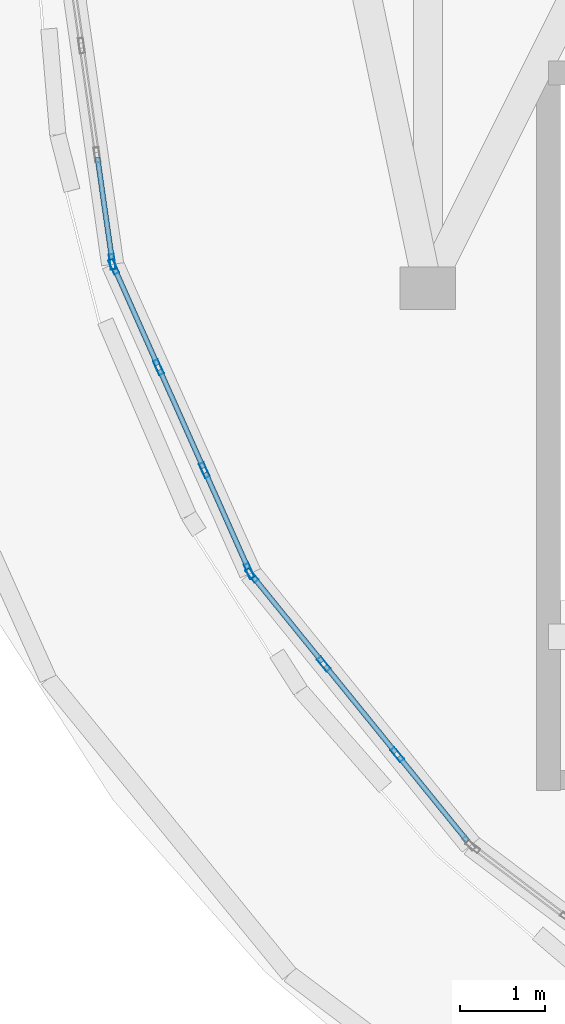
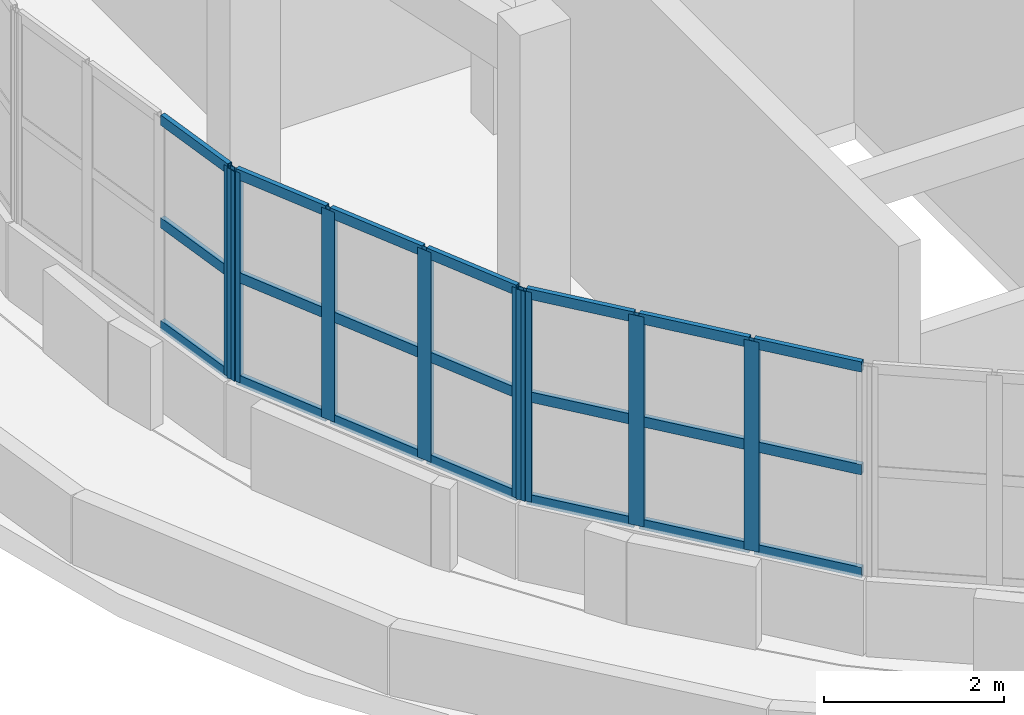
# One storey, part 3 of 98: 29 members, 3 elements without a shape of their own.
"""IFC4 building model written with IfcOpenShell, lengths in metres."""

from ifc_helpers import new_model, si_unit, direction, frame, origin, origin_2d, place, context, subcontext, project, spatial, hollow_rectangle, extrude, material, layer, layer_set, material_profile, profile_set, type_object, element, aggregate, save


model = new_model("IFC4")

# Units and contexts
model_context = context("Model", 3, precision=1e-05, world=origin(), true_north=direction((0.0, 1.0)))
body_context = subcontext(model_context, "Body", "Model", "MODEL_VIEW")
ifc_project = project(units=[si_unit("LENGTHUNIT", "METRE"), si_unit("AREAUNIT", "SQUARE_METRE"), si_unit("VOLUMEUNIT", "CUBIC_METRE"), si_unit("PLANEANGLEUNIT", "RADIAN"), si_unit("MASSUNIT", "GRAM", prefix="KILO")], contexts=[model_context])

# Site, building, storey
site_placement = place(None, origin())
site = spatial("IfcSite", under=ifc_project, at=site_placement, CompositionType="ELEMENT")
building_placement = place(site_placement, origin())
building = spatial("IfcBuilding", under=site, at=building_placement, Name="Pelvatis Terrace Science Centre", CompositionType="ELEMENT")
storey_placement = place(building_placement, frame((0.0, 0.0, 5.39990234375)))
storey = spatial("IfcBuildingStorey", under=building, at=storey_placement, Name="L01", CompositionType="ELEMENT", Elevation=5.39990234375)

# Curtain wall, member
ifc_material_1 = material(Name="Bronze-anodised aluminium and laminated glass", Category="aluminium")
ifc_layer = layer(ifc_material_1, 0.179931640625)
ifc_layer_set = layer_set([ifc_layer], Name="Bronze-anodised aluminium and laminated glass")
curtain_wall_type = type_object("IfcCurtainWallType", Name="CW-RIBBON-A", PredefinedType="NOTDEFINED", material=ifc_layer_set)
curtain_wall_1_placement = place(storey_placement, origin())
curtain_wall_1 = element("IfcCurtainWall", 1, at=curtain_wall_1_placement, inside=storey, type_object=curtain_wall_type, Name="Ribbon curtain wall CW-030 (L01)", PredefinedType="NOTDEFINED")
ifc_material_2 = material(Name="Bronze-anodised aluminium 6063-T6", Category="aluminium")
ifc_material_profile_1 = material_profile(ifc_material_2, hollow_rectangle(XDim=0.06005859375, YDim=0.179931640625, WallThickness=0.00390625, at=origin_2d()), Name="ALU-MUL 60x180")
ifc_profile_set_1 = profile_set([ifc_material_profile_1], Name="Bronze-anodised aluminium 6063-T6")
member_type_1 = type_object("IfcMemberType", Name="CWM-60x180", PredefinedType="MULLION", material=ifc_profile_set_1)
member_1_placement = place(storey_placement, frame((28.093505859375, 30.98876953125, 1.02001953125), z_axis=(0.0, 0.0, 1.0), x_axis=(0.989986059839, 0.141165156196, 0.0)))
member_1 = element("IfcMember", 2, at=member_1_placement, type_object=member_type_1, Name="CW-030 mullion 4", PredefinedType="MULLION", context=body_context, shape_type="SweptSolid", body=[
    extrude(hollow_rectangle(XDim=0.06005859375, YDim=0.179931640625, WallThickness=0.00390625, at=origin_2d()), origin(), (0.0, 0.0, 1.0), 2.840087890625),
])

# Curtain wall, members
curtain_wall_2_placement = place(storey_placement, origin())
curtain_wall_2 = element("IfcCurtainWall", 3, at=curtain_wall_2_placement, inside=storey, type_object=curtain_wall_type, Name="Ribbon curtain wall CW-031 (L01)", PredefinedType="NOTDEFINED")
member_2_placement = place(storey_placement, frame((28.10986328125, 30.931640625, 1.02001953125), z_axis=(0.0, 0.0, 1.0), x_axis=(0.913474922935, 0.406895029669, 0.0)))
member_2 = element("IfcMember", 4, at=member_2_placement, type_object=member_type_1, Name="CW-031 mullion 1", PredefinedType="MULLION", context=body_context, shape_type="SweptSolid", body=[
    extrude(hollow_rectangle(XDim=0.06005859375, YDim=0.179931640625, WallThickness=0.00390625, at=origin_2d()), origin(), (0.0, 0.0, 1.0), 2.840087890625),
])
member_3_placement = place(storey_placement, frame((28.634765625, 29.753173828125, 1.02001953125), z_axis=(0.0, 0.0, 1.0), x_axis=(0.913474922935, 0.406895029669, 0.0)))
member_3 = element("IfcMember", 5, at=member_3_placement, type_object=member_type_1, Name="CW-031 mullion 2", PredefinedType="MULLION", context=body_context, shape_type="SweptSolid", body=[
    extrude(hollow_rectangle(XDim=0.06005859375, YDim=0.179931640625, WallThickness=0.00390625, at=origin_2d()), origin(), (0.0, 0.0, 1.0), 2.840087890625),
])
member_4_placement = place(storey_placement, frame((29.172119140625, 28.547119140625, 1.02001953125), z_axis=(0.0, 0.0, 1.0), x_axis=(0.913474922935, 0.406895029669, 0.0)))
member_4 = element("IfcMember", 6, at=member_4_placement, type_object=member_type_1, Name="CW-031 mullion 3", PredefinedType="MULLION", context=body_context, shape_type="SweptSolid", body=[
    extrude(hollow_rectangle(XDim=0.06005859375, YDim=0.179931640625, WallThickness=0.00390625, at=origin_2d()), origin(), (0.0, 0.0, 1.0), 2.840087890625),
])
member_5_placement = place(storey_placement, frame((29.697021484375, 27.36865234375, 1.02001953125), z_axis=(0.0, 0.0, 1.0), x_axis=(0.913474922935, 0.406895029669, 0.0)))
member_5 = element("IfcMember", 7, at=member_5_placement, type_object=member_type_1, Name="CW-031 mullion 4", PredefinedType="MULLION", context=body_context, shape_type="SweptSolid", body=[
    extrude(hollow_rectangle(XDim=0.06005859375, YDim=0.179931640625, WallThickness=0.00390625, at=origin_2d()), origin(), (0.0, 0.0, 1.0), 2.840087890625),
])

curtain_wall_3_placement = place(storey_placement, origin())
curtain_wall_3 = element("IfcCurtainWall", 8, at=curtain_wall_3_placement, inside=storey, type_object=curtain_wall_type, Name="Ribbon curtain wall CW-032 (L01)", PredefinedType="NOTDEFINED")
member_6_placement = place(storey_placement, frame((29.72802734375, 27.31787109375, 1.02001953125), z_axis=(0.0, 0.0, 1.0), x_axis=(0.776811223185, 0.629733533753, 0.0)))
member_6 = element("IfcMember", 9, at=member_6_placement, type_object=member_type_1, Name="CW-032 mullion 1", PredefinedType="MULLION", context=body_context, shape_type="SweptSolid", body=[
    extrude(hollow_rectangle(XDim=0.06005859375, YDim=0.179931640625, WallThickness=0.00390625, at=origin_2d()), origin(), (0.0, 0.0, 1.0), 2.840087890625),
])
member_7_placement = place(storey_placement, frame((30.569580078125, 26.27978515625, 1.02001953125), z_axis=(0.0, 0.0, 1.0), x_axis=(0.776811223185, 0.629733533753, 0.0)))
member_7 = element("IfcMember", 10, at=member_7_placement, type_object=member_type_1, Name="CW-032 mullion 2", PredefinedType="MULLION", context=body_context, shape_type="SweptSolid", body=[
    extrude(hollow_rectangle(XDim=0.06005859375, YDim=0.179931640625, WallThickness=0.00390625, at=origin_2d()), origin(), (0.0, 0.0, 1.0), 2.840087890625),
])
member_8_placement = place(storey_placement, frame((31.43017578125, 25.21826171875, 1.02001953125), z_axis=(0.0, 0.0, 1.0), x_axis=(0.776811223185, 0.629733533753, 0.0)))
member_8 = element("IfcMember", 11, at=member_8_placement, type_object=member_type_1, Name="CW-032 mullion 3", PredefinedType="MULLION", context=body_context, shape_type="SweptSolid", body=[
    extrude(hollow_rectangle(XDim=0.06005859375, YDim=0.179931640625, WallThickness=0.00390625, at=origin_2d()), origin(), (0.0, 0.0, 1.0), 2.840087890625),
])

# Member
ifc_material_3 = material(Name="Bronze-anodised aluminium 6063-T6", Category="aluminium")
ifc_material_profile_2 = material_profile(ifc_material_3, hollow_rectangle(XDim=0.06005859375, YDim=0.139892578125, WallThickness=0.00390625, at=origin_2d()), Name="ALU-TRN 60x140")
ifc_profile_set_2 = profile_set([ifc_material_profile_2], Name="Bronze-anodised aluminium 6063-T6")
member_type_2 = type_object("IfcMemberType", Name="CWT-60x140", PredefinedType="USERDEFINED", material=ifc_profile_set_2)
member_9_placement = place(storey_placement, frame((27.91943359375, 32.209716796875, 1.050048828125), z_axis=(0.140995314135, -0.990010263276, 0.0), x_axis=(0.990010263276, 0.140995314135, 0.0)))
member_9 = element("IfcMember", 12, at=member_9_placement, type_object=member_type_2, Name="CW-030 transom 3.1", ObjectType="TRANSOM", PredefinedType="USERDEFINED", context=body_context, shape_type="SweptSolid", body=[
    extrude(hollow_rectangle(XDim=0.06005859375, YDim=0.139892578125, WallThickness=0.00390625, at=origin_2d()), origin(), (0.0, 0.0, 1.0), 1.203369140625),
])

member_10_placement = place(storey_placement, frame((27.91943359375, 32.209716796875, 2.440185546875), z_axis=(0.140995314135, -0.990010263276, 0.0), x_axis=(0.990010263276, 0.140995314135, 0.0)))
member_10 = element("IfcMember", 13, at=member_10_placement, type_object=member_type_2, Name="CW-030 transom 3.2", ObjectType="TRANSOM", PredefinedType="USERDEFINED", context=body_context, shape_type="SweptSolid", body=[
    extrude(hollow_rectangle(XDim=0.06005859375, YDim=0.139892578125, WallThickness=0.00390625, at=origin_2d()), origin(), (0.0, 0.0, 1.0), 1.203369140625),
])

member_11_placement = place(storey_placement, frame((27.91943359375, 32.209716796875, 3.830078125), z_axis=(0.140995314135, -0.990010263276, 0.0), x_axis=(0.990010263276, 0.140995314135, 0.0)))
member_11 = element("IfcMember", 14, at=member_11_placement, type_object=member_type_2, Name="CW-030 transom 3.3", ObjectType="TRANSOM", PredefinedType="USERDEFINED", context=body_context, shape_type="SweptSolid", body=[
    extrude(hollow_rectangle(XDim=0.06005859375, YDim=0.139892578125, WallThickness=0.00390625, at=origin_2d()), origin(), (0.0, 0.0, 1.0), 1.203369140625),
])

aggregate(curtain_wall_1, [member_1, member_9, member_10, member_11])

member_12_placement = place(storey_placement, frame((28.1220703125, 30.904296875, 1.050048828125), z_axis=(0.406838063449, -0.913500295637, 0.0), x_axis=(0.913500295637, 0.406838063449, 0.0)))
member_12 = element("IfcMember", 15, at=member_12_placement, type_object=member_type_2, Name="CW-031 transom 1.1", ObjectType="TRANSOM", PredefinedType="USERDEFINED", context=body_context, shape_type="SweptSolid", body=[
    extrude(hollow_rectangle(XDim=0.06005859375, YDim=0.139892578125, WallThickness=0.00390625, at=origin_2d()), origin(), (0.0, 0.0, 1.0), 1.230224609375),
])

member_13_placement = place(storey_placement, frame((28.1220703125, 30.904296875, 2.440185546875), z_axis=(0.406838063449, -0.913500295637, 0.0), x_axis=(0.913500295637, 0.406838063449, 0.0)))
member_13 = element("IfcMember", 16, at=member_13_placement, type_object=member_type_2, Name="CW-031 transom 1.2", ObjectType="TRANSOM", PredefinedType="USERDEFINED", context=body_context, shape_type="SweptSolid", body=[
    extrude(hollow_rectangle(XDim=0.06005859375, YDim=0.139892578125, WallThickness=0.00390625, at=origin_2d()), origin(), (0.0, 0.0, 1.0), 1.230224609375),
])

member_14_placement = place(storey_placement, frame((28.1220703125, 30.904296875, 3.830078125), z_axis=(0.406838063449, -0.913500295637, 0.0), x_axis=(0.913500295637, 0.406838063449, 0.0)))
member_14 = element("IfcMember", 17, at=member_14_placement, type_object=member_type_2, Name="CW-031 transom 1.3", ObjectType="TRANSOM", PredefinedType="USERDEFINED", context=body_context, shape_type="SweptSolid", body=[
    extrude(hollow_rectangle(XDim=0.06005859375, YDim=0.139892578125, WallThickness=0.00390625, at=origin_2d()), origin(), (0.0, 0.0, 1.0), 1.230224609375),
])

member_15_placement = place(storey_placement, frame((28.64697265625, 29.7255859375, 1.050048828125), z_axis=(0.407019033229, -0.913419677142, 0.0), x_axis=(0.913419677142, 0.407019033229, 0.0)))
member_15 = element("IfcMember", 18, at=member_15_placement, type_object=member_type_2, Name="CW-031 transom 2.1", ObjectType="TRANSOM", PredefinedType="USERDEFINED", context=body_context, shape_type="SweptSolid", body=[
    extrude(hollow_rectangle(XDim=0.06005859375, YDim=0.139892578125, WallThickness=0.00390625, at=origin_2d()), origin(), (0.0, 0.0, 1.0), 1.26025390625),
])

member_16_placement = place(storey_placement, frame((28.64697265625, 29.7255859375, 2.440185546875), z_axis=(0.407019033229, -0.913419677142, 0.0), x_axis=(0.913419677142, 0.407019033229, 0.0)))
member_16 = element("IfcMember", 19, at=member_16_placement, type_object=member_type_2, Name="CW-031 transom 2.2", ObjectType="TRANSOM", PredefinedType="USERDEFINED", context=body_context, shape_type="SweptSolid", body=[
    extrude(hollow_rectangle(XDim=0.06005859375, YDim=0.139892578125, WallThickness=0.00390625, at=origin_2d()), origin(), (0.0, 0.0, 1.0), 1.26025390625),
])

member_17_placement = place(storey_placement, frame((28.64697265625, 29.7255859375, 3.830078125), z_axis=(0.407019033229, -0.913419677142, 0.0), x_axis=(0.913419677142, 0.407019033229, 0.0)))
member_17 = element("IfcMember", 20, at=member_17_placement, type_object=member_type_2, Name="CW-031 transom 2.3", ObjectType="TRANSOM", PredefinedType="USERDEFINED", context=body_context, shape_type="SweptSolid", body=[
    extrude(hollow_rectangle(XDim=0.06005859375, YDim=0.139892578125, WallThickness=0.00390625, at=origin_2d()), origin(), (0.0, 0.0, 1.0), 1.26025390625),
])

member_18_placement = place(storey_placement, frame((29.184326171875, 28.519775390625, 1.050048828125), z_axis=(0.406838063449, -0.913500295637, 0.0), x_axis=(0.913500295637, 0.406838063449, 0.0)))
member_18 = element("IfcMember", 21, at=member_18_placement, type_object=member_type_2, Name="CW-031 transom 3.1", ObjectType="TRANSOM", PredefinedType="USERDEFINED", context=body_context, shape_type="SweptSolid", body=[
    extrude(hollow_rectangle(XDim=0.06005859375, YDim=0.139892578125, WallThickness=0.00390625, at=origin_2d()), origin(), (0.0, 0.0, 1.0), 1.230224609375),
])

member_19_placement = place(storey_placement, frame((29.184326171875, 28.519775390625, 2.440185546875), z_axis=(0.406838063449, -0.913500295637, 0.0), x_axis=(0.913500295637, 0.406838063449, 0.0)))
member_19 = element("IfcMember", 22, at=member_19_placement, type_object=member_type_2, Name="CW-031 transom 3.2", ObjectType="TRANSOM", PredefinedType="USERDEFINED", context=body_context, shape_type="SweptSolid", body=[
    extrude(hollow_rectangle(XDim=0.06005859375, YDim=0.139892578125, WallThickness=0.00390625, at=origin_2d()), origin(), (0.0, 0.0, 1.0), 1.230224609375),
])

member_20_placement = place(storey_placement, frame((29.184326171875, 28.519775390625, 3.830078125), z_axis=(0.406838063449, -0.913500295637, 0.0), x_axis=(0.913500295637, 0.406838063449, 0.0)))
member_20 = element("IfcMember", 23, at=member_20_placement, type_object=member_type_2, Name="CW-031 transom 3.3", ObjectType="TRANSOM", PredefinedType="USERDEFINED", context=body_context, shape_type="SweptSolid", body=[
    extrude(hollow_rectangle(XDim=0.06005859375, YDim=0.139892578125, WallThickness=0.00390625, at=origin_2d()), origin(), (0.0, 0.0, 1.0), 1.230224609375),
])

aggregate(curtain_wall_2, [member_2, member_3, member_4, member_5, member_12, member_13, member_14, member_15, member_16, member_17, member_18, member_19, member_20])

member_21_placement = place(storey_placement, frame((29.7470703125, 27.294677734375, 1.050048828125), z_axis=(0.629627288326, -0.776897340577, 0.0), x_axis=(0.776897340577, 0.629627288326, 0.0)))
member_21 = element("IfcMember", 24, at=member_21_placement, type_object=member_type_2, Name="CW-032 transom 1.1", ObjectType="TRANSOM", PredefinedType="USERDEFINED", context=body_context, shape_type="SweptSolid", body=[
    extrude(hollow_rectangle(XDim=0.06005859375, YDim=0.139892578125, WallThickness=0.00390625, at=origin_2d()), origin(), (0.0, 0.0, 1.0), 1.2763671875),
])

member_22_placement = place(storey_placement, frame((29.7470703125, 27.294677734375, 2.440185546875), z_axis=(0.629627288326, -0.776897340577, 0.0), x_axis=(0.776897340577, 0.629627288326, 0.0)))
member_22 = element("IfcMember", 25, at=member_22_placement, type_object=member_type_2, Name="CW-032 transom 1.2", ObjectType="TRANSOM", PredefinedType="USERDEFINED", context=body_context, shape_type="SweptSolid", body=[
    extrude(hollow_rectangle(XDim=0.06005859375, YDim=0.139892578125, WallThickness=0.00390625, at=origin_2d()), origin(), (0.0, 0.0, 1.0), 1.2763671875),
])

member_23_placement = place(storey_placement, frame((29.7470703125, 27.294677734375, 3.830078125), z_axis=(0.629627288326, -0.776897340577, 0.0), x_axis=(0.776897340577, 0.629627288326, 0.0)))
member_23 = element("IfcMember", 26, at=member_23_placement, type_object=member_type_2, Name="CW-032 transom 1.3", ObjectType="TRANSOM", PredefinedType="USERDEFINED", context=body_context, shape_type="SweptSolid", body=[
    extrude(hollow_rectangle(XDim=0.06005859375, YDim=0.139892578125, WallThickness=0.00390625, at=origin_2d()), origin(), (0.0, 0.0, 1.0), 1.2763671875),
])

member_24_placement = place(storey_placement, frame((30.588623046875, 26.25634765625, 1.050048828125), z_axis=(0.62971965917, -0.776822470617, 0.0), x_axis=(0.776822470617, 0.62971965917, 0.0)))
member_24 = element("IfcMember", 27, at=member_24_placement, type_object=member_type_2, Name="CW-032 transom 2.1", ObjectType="TRANSOM", PredefinedType="USERDEFINED", context=body_context, shape_type="SweptSolid", body=[
    extrude(hollow_rectangle(XDim=0.06005859375, YDim=0.139892578125, WallThickness=0.00390625, at=origin_2d()), origin(), (0.0, 0.0, 1.0), 1.30615234375),
])

member_25_placement = place(storey_placement, frame((30.588623046875, 26.25634765625, 2.440185546875), z_axis=(0.62971965917, -0.776822470617, 0.0), x_axis=(0.776822470617, 0.62971965917, 0.0)))
member_25 = element("IfcMember", 28, at=member_25_placement, type_object=member_type_2, Name="CW-032 transom 2.2", ObjectType="TRANSOM", PredefinedType="USERDEFINED", context=body_context, shape_type="SweptSolid", body=[
    extrude(hollow_rectangle(XDim=0.06005859375, YDim=0.139892578125, WallThickness=0.00390625, at=origin_2d()), origin(), (0.0, 0.0, 1.0), 1.30615234375),
])

member_26_placement = place(storey_placement, frame((30.588623046875, 26.25634765625, 3.830078125), z_axis=(0.62971965917, -0.776822470617, 0.0), x_axis=(0.776822470617, 0.62971965917, 0.0)))
member_26 = element("IfcMember", 29, at=member_26_placement, type_object=member_type_2, Name="CW-032 transom 2.3", ObjectType="TRANSOM", PredefinedType="USERDEFINED", context=body_context, shape_type="SweptSolid", body=[
    extrude(hollow_rectangle(XDim=0.06005859375, YDim=0.139892578125, WallThickness=0.00390625, at=origin_2d()), origin(), (0.0, 0.0, 1.0), 1.30615234375),
])

member_27_placement = place(storey_placement, frame((31.448974609375, 25.195068359375, 1.050048828125), z_axis=(0.629836265842, -0.776727930636, 0.0), x_axis=(0.776727930636, 0.629836265842, 0.0)))
member_27 = element("IfcMember", 30, at=member_27_placement, type_object=member_type_2, Name="CW-032 transom 3.1", ObjectType="TRANSOM", PredefinedType="USERDEFINED", context=body_context, shape_type="SweptSolid", body=[
    extrude(hollow_rectangle(XDim=0.06005859375, YDim=0.139892578125, WallThickness=0.00390625, at=origin_2d()), origin(), (0.0, 0.0, 1.0), 1.2763671875),
])

member_28_placement = place(storey_placement, frame((31.448974609375, 25.195068359375, 2.440185546875), z_axis=(0.629836265842, -0.776727930636, 0.0), x_axis=(0.776727930636, 0.629836265842, 0.0)))
member_28 = element("IfcMember", 31, at=member_28_placement, type_object=member_type_2, Name="CW-032 transom 3.2", ObjectType="TRANSOM", PredefinedType="USERDEFINED", context=body_context, shape_type="SweptSolid", body=[
    extrude(hollow_rectangle(XDim=0.06005859375, YDim=0.139892578125, WallThickness=0.00390625, at=origin_2d()), origin(), (0.0, 0.0, 1.0), 1.2763671875),
])

member_29_placement = place(storey_placement, frame((31.448974609375, 25.195068359375, 3.830078125), z_axis=(0.629836265842, -0.776727930636, 0.0), x_axis=(0.776727930636, 0.629836265842, 0.0)))
member_29 = element("IfcMember", 32, at=member_29_placement, type_object=member_type_2, Name="CW-032 transom 3.3", ObjectType="TRANSOM", PredefinedType="USERDEFINED", context=body_context, shape_type="SweptSolid", body=[
    extrude(hollow_rectangle(XDim=0.06005859375, YDim=0.139892578125, WallThickness=0.00390625, at=origin_2d()), origin(), (0.0, 0.0, 1.0), 1.2763671875),
])

aggregate(curtain_wall_3, [member_6, member_7, member_8, member_21, member_22, member_23, member_24, member_25, member_26, member_27, member_28, member_29])

save(model, "model.ifc")
